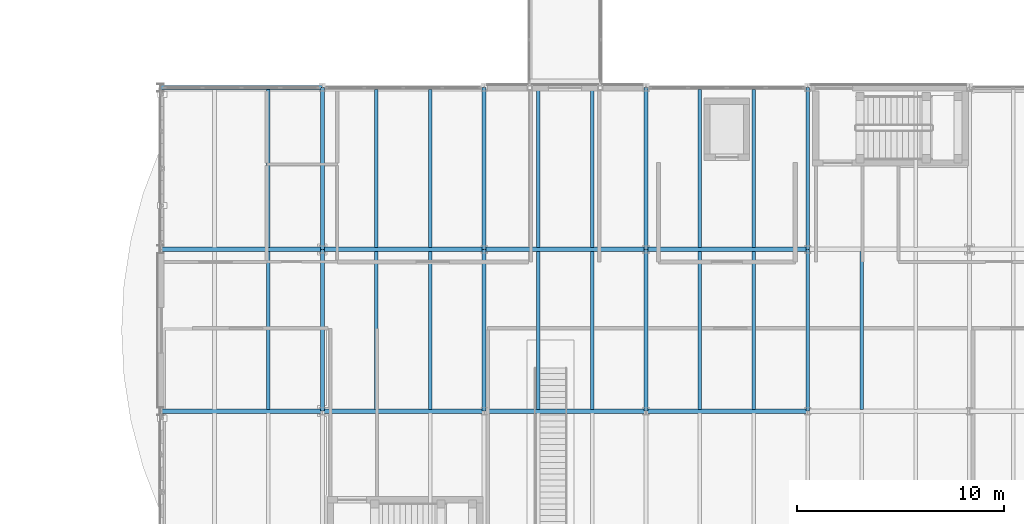
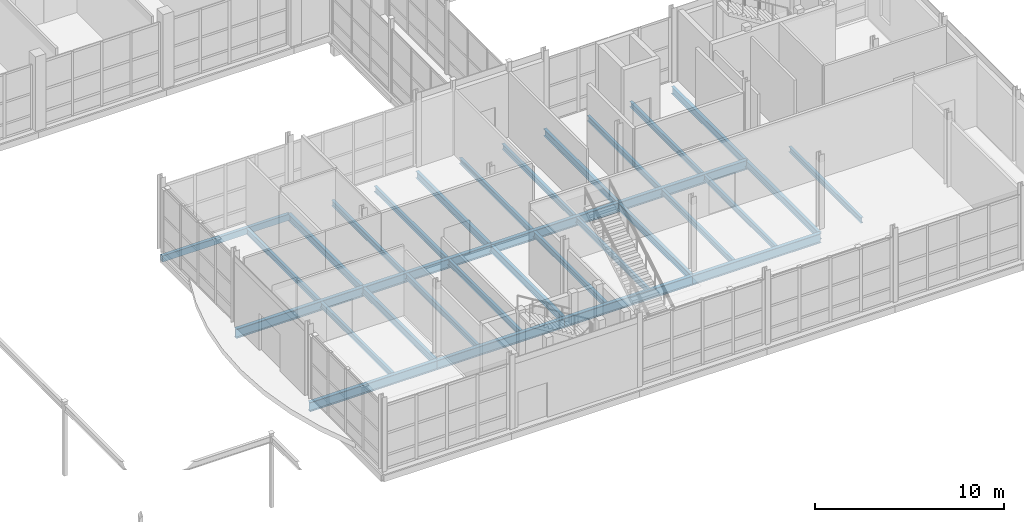
# One storey, part 62 of 131: 32 beams.
"""IFC4 building model written with IfcOpenShell, lengths in metres."""

from ifc_helpers import new_model, si_unit, direction, frame, origin, origin_2d, place, context, subcontext, project, spatial, hollow_rectangle, i_section, extrude, material, material_profile, profile_set, type_object, element, save


model = new_model("IFC4")

# Units and contexts
model_context = context("Model", 3, precision=1e-05, world=origin(), true_north=direction((0.0, 1.0)))
body_context = subcontext(model_context, "Body", "Model", "MODEL_VIEW")
ifc_project = project(units=[si_unit("LENGTHUNIT", "METRE"), si_unit("AREAUNIT", "SQUARE_METRE"), si_unit("VOLUMEUNIT", "CUBIC_METRE"), si_unit("PLANEANGLEUNIT", "RADIAN"), si_unit("MASSUNIT", "GRAM", prefix="KILO")], contexts=[model_context])

# Site, building, storey
site_placement = place(None, origin())
site = spatial("IfcSite", under=ifc_project, at=site_placement, CompositionType="ELEMENT")
building_placement = place(site_placement, origin())
building = spatial("IfcBuilding", under=site, at=building_placement, Name="Celorna Specialist Clinic", CompositionType="ELEMENT")
storey_placement = place(building_placement, origin())
storey = spatial("IfcBuildingStorey", under=building, at=storey_placement, Name="L00", CompositionType="ELEMENT", Elevation=0.0)

# Beams
ifc_material = material(Name="Steel S355", Category="steel")
ifc_material_profile_1 = material_profile(ifc_material, i_section(OverallWidth=0.219970703125, OverallDepth=0.60009765625, WebThickness=0.011962890625, FlangeThickness=0.01904296875, at=origin_2d()), Name="IPE 600")
ifc_profile_set_1 = profile_set([ifc_material_profile_1], Name="Steel S355")
beam_type_1 = type_object("IfcBeamType", Name="BM-06", PredefinedType="BEAM", material=ifc_profile_set_1)
beam_1_placement = place(storey_placement, frame((124.800048828125, 67.800048828125, -0.639892578125), z_axis=(1.0, 0.0, 0.0), x_axis=(0.0, 1.0, 0.0)))
element("IfcBeam", 1, at=beam_1_placement, inside=storey, type_object=beam_type_1, Name="Primary girder BM-06 #540", PredefinedType="BEAM", context=body_context, shape_type="SweptSolid", body=[
    extrude(i_section(OverallWidth=0.219970703125, OverallDepth=0.60009765625, WebThickness=0.011962890625, FlangeThickness=0.01904296875, at=origin_2d()), origin(), (0.0, 0.0, 1.0), 7.800048828125),
])
beam_2_placement = place(storey_placement, frame((132.60009765625, 67.800048828125, -0.639892578125), z_axis=(1.0, 0.0, 0.0), x_axis=(0.0, 1.0, 0.0)))
element("IfcBeam", 2, at=beam_2_placement, inside=storey, type_object=beam_type_1, Name="Primary girder BM-06 #541", PredefinedType="BEAM", context=body_context, shape_type="SweptSolid", body=[
    extrude(i_section(OverallWidth=0.219970703125, OverallDepth=0.60009765625, WebThickness=0.011962890625, FlangeThickness=0.01904296875, at=origin_2d()), origin(), (0.0, 0.0, 1.0), 7.7998046875),
])
for number, where, z_axis, x_axis, name in (
    (3, (140.39990234375, 67.800048828125, -0.639892578125), (1.0, 0.0, 0.0), (0.0, 1.0, 0.0), "Primary girder BM-06 #542"),
    (4, (148.199951171875, 67.800048828125, -0.639892578125), (1.0, 0.0, 0.0), (0.0, 1.0, 0.0), "Primary girder BM-06 #543"),
    (5, (124.800048828125, 75.60009765625, -0.639892578125), (1.0, 0.0, 0.0), (0.0, 1.0, 0.0), "Primary girder BM-06 #546"),
):
    element("IfcBeam", number, at=place(storey_placement, frame(where, z_axis=z_axis, x_axis=x_axis)), inside=storey, type_object=beam_type_1, Name=name, PredefinedType="BEAM", context=body_context, shape_type="SweptSolid", body=[
        extrude(i_section(OverallWidth=0.219970703125, OverallDepth=0.60009765625, WebThickness=0.011962890625, FlangeThickness=0.01904296875, at=origin_2d()), origin(), (0.0, 0.0, 1.0), 7.800048828125),
    ])
beam_3_placement = place(storey_placement, frame((132.60009765625, 75.60009765625, -0.639892578125), z_axis=(1.0, 0.0, 0.0), x_axis=(0.0, 1.0, 0.0)))
element("IfcBeam", 6, at=beam_3_placement, inside=storey, type_object=beam_type_1, Name="Primary girder BM-06 #547", PredefinedType="BEAM", context=body_context, shape_type="SweptSolid", body=[
    extrude(i_section(OverallWidth=0.219970703125, OverallDepth=0.60009765625, WebThickness=0.011962890625, FlangeThickness=0.01904296875, at=origin_2d()), origin(), (0.0, 0.0, 1.0), 7.7998046875),
])
for number, where, z_axis, x_axis, name in (
    (7, (140.39990234375, 75.60009765625, -0.639892578125), (1.0, 0.0, 0.0), (0.0, 1.0, 0.0), "Primary girder BM-06 #548"),
    (8, (148.199951171875, 75.60009765625, -0.639892578125), (1.0, 0.0, 0.0), (0.0, 1.0, 0.0), "Primary girder BM-06 #549"),
):
    element("IfcBeam", number, at=place(storey_placement, frame(where, z_axis=z_axis, x_axis=x_axis)), inside=storey, type_object=beam_type_1, Name=name, PredefinedType="BEAM", context=body_context, shape_type="SweptSolid", body=[
        extrude(i_section(OverallWidth=0.219970703125, OverallDepth=0.60009765625, WebThickness=0.011962890625, FlangeThickness=0.01904296875, at=origin_2d()), origin(), (0.0, 0.0, 1.0), 7.800048828125),
    ])
ifc_material_profile_2 = material_profile(ifc_material, i_section(OverallWidth=0.18994140625, OverallDepth=0.449951171875, WebThickness=0.009521484375, FlangeThickness=0.0146484375, at=origin_2d()), Name="IPE 450")
ifc_profile_set_2 = profile_set([ifc_material_profile_2], Name="Steel S355")
beam_type_2 = type_object("IfcBeamType", Name="BM-09", PredefinedType="BEAM", material=ifc_profile_set_2)
beam_4_placement = place(storey_placement, frame((132.60009765625, 67.800048828125, -0.56494140625), z_axis=(0.0, 1.0, 0.0), x_axis=(-1.0, 0.0, 0.0)))
element("IfcBeam", 9, at=beam_4_placement, inside=storey, type_object=beam_type_2, Name="Transverse girder BM-09 #562", PredefinedType="BEAM", context=body_context, shape_type="SweptSolid", body=[
    extrude(i_section(OverallWidth=0.18994140625, OverallDepth=0.449951171875, WebThickness=0.009521484375, FlangeThickness=0.0146484375, at=origin_2d()), origin(), (0.0, 0.0, 1.0), 7.800048828125),
])
beam_5_placement = place(storey_placement, frame((132.60009765625, 75.60009765625, -0.56494140625), z_axis=(0.0, 1.0, 0.0), x_axis=(-1.0, 0.0, 0.0)))
element("IfcBeam", 10, at=beam_5_placement, inside=storey, type_object=beam_type_2, Name="Transverse girder BM-09 #563", PredefinedType="BEAM", context=body_context, shape_type="SweptSolid", body=[
    extrude(i_section(OverallWidth=0.18994140625, OverallDepth=0.449951171875, WebThickness=0.009521484375, FlangeThickness=0.0146484375, at=origin_2d()), origin(), (0.0, 0.0, 1.0), 7.7998046875),
])
beam_6_placement = place(storey_placement, frame((140.39990234375, 67.800048828125, -0.56494140625), z_axis=(0.0, 1.0, 0.0), x_axis=(-1.0, 0.0, 0.0)))
element("IfcBeam", 11, at=beam_6_placement, inside=storey, type_object=beam_type_2, Name="Transverse girder BM-09 #565", PredefinedType="BEAM", context=body_context, shape_type="SweptSolid", body=[
    extrude(i_section(OverallWidth=0.18994140625, OverallDepth=0.449951171875, WebThickness=0.009521484375, FlangeThickness=0.0146484375, at=origin_2d()), origin(), (0.0, 0.0, 1.0), 7.800048828125),
])
beam_7_placement = place(storey_placement, frame((140.39990234375, 75.60009765625, -0.56494140625), z_axis=(0.0, 1.0, 0.0), x_axis=(-1.0, 0.0, 0.0)))
element("IfcBeam", 12, at=beam_7_placement, inside=storey, type_object=beam_type_2, Name="Transverse girder BM-09 #566", PredefinedType="BEAM", context=body_context, shape_type="SweptSolid", body=[
    extrude(i_section(OverallWidth=0.18994140625, OverallDepth=0.449951171875, WebThickness=0.009521484375, FlangeThickness=0.0146484375, at=origin_2d()), origin(), (0.0, 0.0, 1.0), 7.7998046875),
])
beam_8_placement = place(storey_placement, frame((148.199951171875, 67.800048828125, -0.56494140625), z_axis=(0.0, 1.0, 0.0), x_axis=(-1.0, 0.0, 0.0)))
element("IfcBeam", 13, at=beam_8_placement, inside=storey, type_object=beam_type_2, Name="Transverse girder BM-09 #568", PredefinedType="BEAM", context=body_context, shape_type="SweptSolid", body=[
    extrude(i_section(OverallWidth=0.18994140625, OverallDepth=0.449951171875, WebThickness=0.009521484375, FlangeThickness=0.0146484375, at=origin_2d()), origin(), (0.0, 0.0, 1.0), 7.800048828125),
])
beam_9_placement = place(storey_placement, frame((148.199951171875, 75.60009765625, -0.56494140625), z_axis=(0.0, 1.0, 0.0), x_axis=(-1.0, 0.0, 0.0)))
element("IfcBeam", 14, at=beam_9_placement, inside=storey, type_object=beam_type_2, Name="Transverse girder BM-09 #569", PredefinedType="BEAM", context=body_context, shape_type="SweptSolid", body=[
    extrude(i_section(OverallWidth=0.18994140625, OverallDepth=0.449951171875, WebThickness=0.009521484375, FlangeThickness=0.0146484375, at=origin_2d()), origin(), (0.0, 0.0, 1.0), 7.7998046875),
])
beam_10_placement = place(storey_placement, frame((156.0, 67.800048828125, -0.56494140625), z_axis=(0.0, 1.0, 0.0), x_axis=(-1.0, 0.0, 0.0)))
element("IfcBeam", 15, at=beam_10_placement, inside=storey, type_object=beam_type_2, Name="Transverse girder BM-09 #571", PredefinedType="BEAM", context=body_context, shape_type="SweptSolid", body=[
    extrude(i_section(OverallWidth=0.18994140625, OverallDepth=0.449951171875, WebThickness=0.009521484375, FlangeThickness=0.0146484375, at=origin_2d()), origin(), (0.0, 0.0, 1.0), 7.800048828125),
])
beam_11_placement = place(storey_placement, frame((156.0, 75.60009765625, -0.56494140625), z_axis=(0.0, 1.0, 0.0), x_axis=(-1.0, 0.0, 0.0)))
element("IfcBeam", 16, at=beam_11_placement, inside=storey, type_object=beam_type_2, Name="Transverse girder BM-09 #572", PredefinedType="BEAM", context=body_context, shape_type="SweptSolid", body=[
    extrude(i_section(OverallWidth=0.18994140625, OverallDepth=0.449951171875, WebThickness=0.009521484375, FlangeThickness=0.0146484375, at=origin_2d()), origin(), (0.0, 0.0, 1.0), 7.7998046875),
])
ifc_material_profile_3 = material_profile(ifc_material, i_section(OverallWidth=0.169921875, OverallDepth=0.360107421875, WebThickness=0.008056640625, FlangeThickness=0.0126953125, at=origin_2d()), Name="IPE 360")
ifc_profile_set_3 = profile_set([ifc_material_profile_3], Name="Steel S355")
beam_type_3 = type_object("IfcBeamType", Name="BM-11", PredefinedType="JOIST", material=ifc_profile_set_3)
for number, where, z_axis, x_axis, name in (
    (17, (130.0, 67.887939453125, -0.52001953125), (0.0, 1.0, 0.0), (-1.0, 0.0, 0.0), "Secondary floor joist BM-11 #582"),
    (18, (130.0, 75.68798828125, -0.52001953125), (0.0, 1.0, 0.0), (-1.0, 0.0, 0.0), "Secondary floor joist BM-11 #584"),
    (19, (135.199951171875, 67.887939453125, -0.52001953125), (0.0, 1.0, 0.0), (-1.0, 0.0, 0.0), "Secondary floor joist BM-11 #586"),
    (20, (137.800048828125, 67.887939453125, -0.52001953125), (0.0, 1.0, 0.0), (-1.0, 0.0, 0.0), "Secondary floor joist BM-11 #587"),
    (21, (135.199951171875, 75.68798828125, -0.52001953125), (0.0, 1.0, 0.0), (-1.0, 0.0, 0.0), "Secondary floor joist BM-11 #588"),
    (22, (137.800048828125, 75.68798828125, -0.52001953125), (0.0, 1.0, 0.0), (-1.0, 0.0, 0.0), "Secondary floor joist BM-11 #589"),
    (23, (143.0, 67.887939453125, -0.52001953125), (0.0, 1.0, 0.0), (-1.0, 0.0, 0.0), "Secondary floor joist BM-11 #592"),
    (24, (145.60009765625, 67.887939453125, -0.52001953125), (0.0, 1.0, 0.0), (-1.0, 0.0, 0.0), "Secondary floor joist BM-11 #593"),
    (25, (143.0, 75.68798828125, -0.52001953125), (0.0, 1.0, 0.0), (-1.0, 0.0, 0.0), "Secondary floor joist BM-11 #594"),
    (26, (145.60009765625, 75.68798828125, -0.52001953125), (0.0, 1.0, 0.0), (-1.0, 0.0, 0.0), "Secondary floor joist BM-11 #595"),
    (27, (150.800048828125, 67.887939453125, -0.52001953125), (0.0, 1.0, 0.0), (-1.0, 0.0, 0.0), "Secondary floor joist BM-11 #598"),
    (28, (153.39990234375, 67.887939453125, -0.52001953125), (0.0, 1.0, 0.0), (-1.0, 0.0, 0.0), "Secondary floor joist BM-11 #599"),
    (29, (150.800048828125, 75.68798828125, -0.52001953125), (0.0, 1.0, 0.0), (-1.0, 0.0, 0.0), "Secondary floor joist BM-11 #600"),
    (30, (153.39990234375, 75.68798828125, -0.52001953125), (0.0, 1.0, 0.0), (-1.0, 0.0, 0.0), "Secondary floor joist BM-11 #601"),
    (31, (158.60009765625, 67.887939453125, -0.52001953125), (0.0, 1.0, 0.0), (-1.0, 0.0, 0.0), "Secondary floor joist BM-11 #604"),
):
    element("IfcBeam", number, at=place(storey_placement, frame(where, z_axis=z_axis, x_axis=x_axis)), inside=storey, type_object=beam_type_3, Name=name, PredefinedType="JOIST", context=body_context, shape_type="SweptSolid", body=[
        extrude(i_section(OverallWidth=0.169921875, OverallDepth=0.360107421875, WebThickness=0.008056640625, FlangeThickness=0.0126953125, at=origin_2d()), origin(), (0.0, 0.0, 1.0), 7.6240234375),
    ])
ifc_material_profile_4 = material_profile(ifc_material, hollow_rectangle(XDim=0.199951171875, YDim=0.39990234375, WallThickness=0.011962890625, at=origin_2d()), Name="RHS 200x400x12")
ifc_profile_set_4 = profile_set([ifc_material_profile_4], Name="Steel S355")
beam_type_4 = type_object("IfcBeamType", Name="BM-15", PredefinedType="SPANDREL", material=ifc_profile_set_4)
beam_12_placement = place(storey_placement, frame((124.800048828125, 83.39990234375, -0.5400390625), z_axis=(1.0, 0.0, 0.0), x_axis=(0.0, 1.0, 0.0)))
element("IfcBeam", 32, at=beam_12_placement, inside=storey, type_object=beam_type_4, Name="Spandrel beam BM-15 #552", PredefinedType="SPANDREL", context=body_context, shape_type="SweptSolid", body=[
    extrude(hollow_rectangle(XDim=0.199951171875, YDim=0.39990234375, WallThickness=0.011962890625, at=origin_2d()), origin(), (0.0, 0.0, 1.0), 7.800048828125),
])

save(model, "model.ifc")
